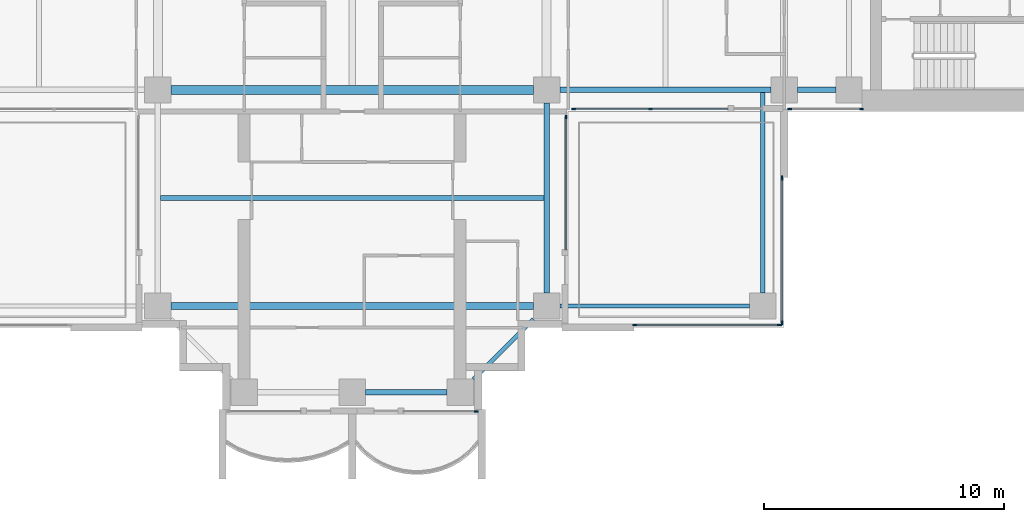
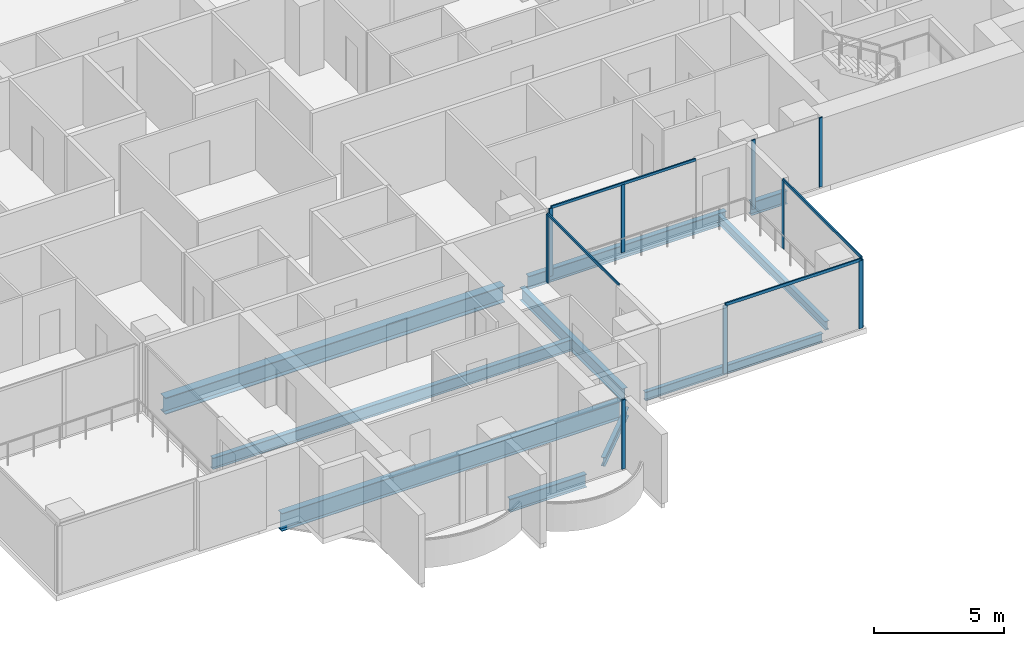
# One storey, part 3 of 19: 14 members, 10 beams, 6 elements without a shape of their own.
"""IFC4 building model written with IfcOpenShell, lengths in metres."""

from ifc_helpers import new_model, si_unit, direction, frame, origin, origin_2d, place, context, subcontext, project, spatial, rectangle, i_section, extrude, material, material_profile, profile_set, type_object, element, aggregate, save


model = new_model("IFC4")

# Units and contexts
model_context = context("Model", 3, precision=1e-05, world=origin(), true_north=direction((0.0, 1.0)))
body_context = subcontext(model_context, "Body", "Model", "MODEL_VIEW")
ifc_project = project(units=[si_unit("LENGTHUNIT", "METRE"), si_unit("AREAUNIT", "SQUARE_METRE"), si_unit("VOLUMEUNIT", "CUBIC_METRE"), si_unit("PLANEANGLEUNIT", "RADIAN"), si_unit("MASSUNIT", "GRAM", prefix="KILO")], contexts=[model_context])

# Site, building, storey
site_placement = place(None, origin())
site = spatial("IfcSite", under=ifc_project, at=site_placement, CompositionType="ELEMENT")
building_placement = place(site_placement, origin())
building = spatial("IfcBuilding", under=site, at=building_placement, Name="Perihelion Cross Residences", CompositionType="ELEMENT")
storey_placement = place(building_placement, frame((0.0, 0.0, 144.39990234375)))
storey = spatial("IfcBuildingStorey", under=building, at=storey_placement, Name="L35", CompositionType="ELEMENT", Elevation=144.39990234375)

# Curtain wall, member
ifc_material_1 = material(Name="Bronze anodised aluminium, tinted glazing", Category="aluminium")
curtain_wall_type_1 = type_object("IfcCurtainWallType", Name="CW1", PredefinedType="NOTDEFINED", material=ifc_material_1)
curtain_wall_1_placement = place(storey_placement, origin())
curtain_wall_1 = element("IfcCurtainWall", 1, at=curtain_wall_1_placement, inside=storey, type_object=curtain_wall_type_1, Name="Curtain wall CW1 L35 south tip south bay 2", PredefinedType="NOTDEFINED")
ifc_material_2 = material(Name="Bronze anodised aluminium", Category="aluminium")
ifc_material_profile_1 = material_profile(ifc_material_2, rectangle(XDim=0.06005859375, YDim=0.159912109375, at=origin_2d()), Name="CW1 mullion")
ifc_profile_set_1 = profile_set([ifc_material_profile_1], Name="Bronze anodised aluminium")
member_type_1 = type_object("IfcMemberType", Name="CW1 mullion", PredefinedType="MULLION", material=ifc_profile_set_1)
member_1_placement = place(storey_placement, frame((5.169921875, -21.5, 0.0), z_axis=(0.0, 0.0, 1.0), x_axis=(0.0, 1.0, 0.0)))
member_1 = element("IfcMember", 2, at=member_1_placement, type_object=member_type_1, Name="CW1 mullion 2", PredefinedType="MULLION", context=body_context, shape_type="SweptSolid", body=[
    extrude(rectangle(XDim=0.06005859375, YDim=0.159912109375, at=origin_2d()), origin(), (0.0, 0.0, 1.0), 3.25),
])
aggregate(curtain_wall_1, [member_1])

curtain_wall_2_placement = place(storey_placement, origin())
curtain_wall_2 = element("IfcCurtainWall", 3, at=curtain_wall_2_placement, inside=storey, type_object=curtain_wall_type_1, Name="Curtain wall CW1 L35 south side east bay 1", PredefinedType="NOTDEFINED")
member_2_placement = place(storey_placement, frame((8.89990234375, -9.22998046875, 0.0), z_axis=(0.0, 0.0, 1.0), x_axis=(-1.0, 0.0, 0.0)))
member_2 = element("IfcMember", 4, at=member_2_placement, type_object=member_type_1, Name="CW1 mullion 2", PredefinedType="MULLION", context=body_context, shape_type="SweptSolid", body=[
    extrude(rectangle(XDim=0.06005859375, YDim=0.159912109375, at=origin_2d()), origin(), (0.0, 0.0, 1.0), 3.190185546875),
])

# Curtain wall, members
curtain_wall_3_placement = place(storey_placement, origin())
curtain_wall_3 = element("IfcCurtainWall", 5, at=curtain_wall_3_placement, inside=storey, type_object=curtain_wall_type_1, Name="Curtain wall CW1 L35 east side south bay 1", PredefinedType="NOTDEFINED")
member_3_placement = place(storey_placement, frame((9.22998046875, -8.89990234375, 0.0), z_axis=(0.0, 0.0, 1.0), x_axis=(0.0, 1.0, 0.0)))
member_3 = element("IfcMember", 6, at=member_3_placement, type_object=member_type_1, Name="CW1 mullion 1", PredefinedType="MULLION", context=body_context, shape_type="SweptSolid", body=[
    extrude(rectangle(XDim=0.06005859375, YDim=0.159912109375, at=origin_2d()), origin(), (0.0, 0.0, 1.0), 3.190185546875),
])
member_4_placement = place(storey_placement, frame((12.425048828125, -8.89990234375, 0.0), z_axis=(0.0, 0.0, 1.0), x_axis=(0.0, 1.0, 0.0)))
member_4 = element("IfcMember", 7, at=member_4_placement, type_object=member_type_1, Name="CW1 mullion 2", PredefinedType="MULLION", context=body_context, shape_type="SweptSolid", body=[
    extrude(rectangle(XDim=0.06005859375, YDim=0.159912109375, at=origin_2d()), origin(), (0.0, 0.0, 1.0), 3.190185546875),
])

curtain_wall_4_placement = place(storey_placement, origin())
curtain_wall_4 = element("IfcCurtainWall", 8, at=curtain_wall_4_placement, inside=storey, type_object=curtain_wall_type_1, Name="Curtain wall CW1 L35 east side south bay 2", PredefinedType="NOTDEFINED")
member_5_placement = place(storey_placement, frame((18.22998046875, -8.89990234375, 0.0), z_axis=(0.0, 0.0, 1.0), x_axis=(0.0, 1.0, 0.0)))
member_5 = element("IfcMember", 9, at=member_5_placement, type_object=member_type_1, Name="CW1 mullion 1", PredefinedType="MULLION", context=body_context, shape_type="SweptSolid", body=[
    extrude(rectangle(XDim=0.06005859375, YDim=0.159912109375, at=origin_2d()), origin(), (0.0, 0.0, 1.0), 3.25),
])
member_6_placement = place(storey_placement, frame((21.219970703125, -8.89990234375, 0.0), z_axis=(0.0, 0.0, 1.0), x_axis=(0.0, 1.0, 0.0)))
member_6 = element("IfcMember", 10, at=member_6_placement, type_object=member_type_1, Name="CW1 mullion 2", PredefinedType="MULLION", context=body_context, shape_type="SweptSolid", body=[
    extrude(rectangle(XDim=0.06005859375, YDim=0.159912109375, at=origin_2d()), origin(), (0.0, 0.0, 1.0), 3.25),
])
aggregate(curtain_wall_4, [member_5, member_6])

# Member
ifc_material_3 = material(Name="Bronze anodised aluminium", Category="aluminium")
ifc_material_profile_2 = material_profile(ifc_material_3, rectangle(XDim=0.06005859375, YDim=0.1201171875, at=origin_2d()), Name="CW1 transom")
ifc_profile_set_2 = profile_set([ifc_material_profile_2], Name="Bronze anodised aluminium")
member_type_2 = type_object("IfcMemberType", Name="CW1 transom", PredefinedType="USERDEFINED", material=ifc_profile_set_2)
member_7_placement = place(storey_placement, frame((8.89990234375, -14.75, 3.22021484375), z_axis=(0.0, 1.0, 0.0), x_axis=(-1.0, 0.0, 0.0)))
member_7 = element("IfcMember", 11, at=member_7_placement, type_object=member_type_2, Name="CW1 head transom", ObjectType="TRANSOM", PredefinedType="USERDEFINED", context=body_context, shape_type="SweptSolid", body=[
    extrude(rectangle(XDim=0.06005859375, YDim=0.1201171875, at=origin_2d()), origin(), (0.0, 0.0, 1.0), 5.52001953125),
])

aggregate(curtain_wall_2, [member_2, member_7])

member_8_placement = place(storey_placement, frame((9.22998046875, -8.89990234375, 3.22021484375), z_axis=(1.0, 0.0, 0.0), x_axis=(0.0, 1.0, 0.0)))
member_8 = element("IfcMember", 12, at=member_8_placement, type_object=member_type_2, Name="CW1 head transom", ObjectType="TRANSOM", PredefinedType="USERDEFINED", context=body_context, shape_type="SweptSolid", body=[
    extrude(rectangle(XDim=0.06005859375, YDim=0.1201171875, at=origin_2d()), origin(), (0.0, 0.0, 1.0), 6.419921875),
])

aggregate(curtain_wall_3, [member_3, member_4, member_8])

# Curtain wall, members
ifc_material_4 = material(Name="Bronze anodised aluminium, tinted glazing", Category="aluminium")
curtain_wall_type_2 = type_object("IfcCurtainWallType", Name="CW4", PredefinedType="NOTDEFINED", material=ifc_material_4)
curtain_wall_5_placement = place(storey_placement, origin())
curtain_wall_5 = element("IfcCurtainWall", 13, at=curtain_wall_5_placement, inside=storey, type_object=curtain_wall_type_2, Name="Curtain wall CW4 L35 pocket south-east 1 1", PredefinedType="NOTDEFINED")
ifc_material_5 = material(Name="Bronze anodised aluminium", Category="aluminium")
ifc_material_profile_3 = material_profile(ifc_material_5, rectangle(XDim=0.06005859375, YDim=0.179931640625, at=origin_2d()), Name="CW4 mullion")
ifc_profile_set_3 = profile_set([ifc_material_profile_3], Name="Bronze anodised aluminium")
member_type_3 = type_object("IfcMemberType", Name="CW4 mullion", PredefinedType="MULLION", material=ifc_profile_set_3)
member_9_placement = place(storey_placement, frame((17.89990234375, -11.77001953125, 0.0), z_axis=(0.0, 0.0, 1.0), x_axis=(1.0, 0.0, 0.0)))
member_9 = element("IfcMember", 14, at=member_9_placement, type_object=member_type_3, Name="CW4 mullion 1", PredefinedType="MULLION", context=body_context, shape_type="SweptSolid", body=[
    extrude(rectangle(XDim=0.06005859375, YDim=0.179931640625, at=origin_2d()), origin(), (0.0, 0.0, 1.0), 3.190185546875),
])
member_10_placement = place(storey_placement, frame((17.89990234375, -17.800048828125, 0.0), z_axis=(0.0, 0.0, 1.0), x_axis=(1.0, 0.0, 0.0)))
member_10 = element("IfcMember", 15, at=member_10_placement, type_object=member_type_3, Name="CW4 mullion 2", PredefinedType="MULLION", context=body_context, shape_type="SweptSolid", body=[
    extrude(rectangle(XDim=0.06005859375, YDim=0.179931640625, at=origin_2d()), origin(), (0.0, 0.0, 1.0), 3.190185546875),
])

curtain_wall_6_placement = place(storey_placement, origin())
curtain_wall_6 = element("IfcCurtainWall", 16, at=curtain_wall_6_placement, inside=storey, type_object=curtain_wall_type_2, Name="Curtain wall CW4 L35 pocket south-east 1 2", PredefinedType="NOTDEFINED")
member_11_placement = place(storey_placement, frame((17.800048828125, -17.89990234375, 0.0), z_axis=(0.0, 0.0, 1.0), x_axis=(0.0, -1.0, 0.0)))
member_11 = element("IfcMember", 17, at=member_11_placement, type_object=member_type_3, Name="CW4 mullion 1", PredefinedType="MULLION", context=body_context, shape_type="SweptSolid", body=[
    extrude(rectangle(XDim=0.06005859375, YDim=0.179931640625, at=origin_2d()), origin(), (0.0, 0.0, 1.0), 3.190185546875),
])
member_12_placement = place(storey_placement, frame((11.77001953125, -17.89990234375, 0.0), z_axis=(0.0, 0.0, 1.0), x_axis=(0.0, -1.0, 0.0)))
member_12 = element("IfcMember", 18, at=member_12_placement, type_object=member_type_3, Name="CW4 mullion 2", PredefinedType="MULLION", context=body_context, shape_type="SweptSolid", body=[
    extrude(rectangle(XDim=0.06005859375, YDim=0.179931640625, at=origin_2d()), origin(), (0.0, 0.0, 1.0), 3.190185546875),
])

# Member
ifc_material_6 = material(Name="Bronze anodised aluminium", Category="aluminium")
ifc_material_profile_4 = material_profile(ifc_material_6, rectangle(XDim=0.06005859375, YDim=0.139892578125, at=origin_2d()), Name="CW4 transom")
ifc_profile_set_4 = profile_set([ifc_material_profile_4], Name="Bronze anodised aluminium")
member_type_4 = type_object("IfcMemberType", Name="CW4 transom", PredefinedType="USERDEFINED", material=ifc_profile_set_4)
member_13_placement = place(storey_placement, frame((17.89990234375, -11.77001953125, 3.22021484375), z_axis=(0.0, -1.0, 0.0), x_axis=(1.0, 0.0, 0.0)))
member_13 = element("IfcMember", 19, at=member_13_placement, type_object=member_type_4, Name="CW4 head transom", ObjectType="TRANSOM", PredefinedType="USERDEFINED", context=body_context, shape_type="SweptSolid", body=[
    extrude(rectangle(XDim=0.06005859375, YDim=0.139892578125, at=origin_2d()), origin(), (0.0, 0.0, 1.0), 6.030029296875),
])

aggregate(curtain_wall_5, [member_9, member_10, member_13])

member_14_placement = place(storey_placement, frame((17.800048828125, -17.89990234375, 3.22021484375), z_axis=(-1.0, 0.0, 0.0), x_axis=(0.0, -1.0, 0.0)))
member_14 = element("IfcMember", 20, at=member_14_placement, type_object=member_type_4, Name="CW4 head transom", ObjectType="TRANSOM", PredefinedType="USERDEFINED", context=body_context, shape_type="SweptSolid", body=[
    extrude(rectangle(XDim=0.06005859375, YDim=0.139892578125, at=origin_2d()), origin(), (0.0, 0.0, 1.0), 6.030029296875),
])

aggregate(curtain_wall_6, [member_11, member_12, member_14])

# Beams
ifc_material_7 = material(Name="Steel S355", Category="steel")
ifc_material_profile_5 = material_profile(ifc_material_7, i_section(OverallWidth=0.177978515625, OverallDepth=0.406005859375, WebThickness=0.0078125, FlangeThickness=0.0126953125, at=origin_2d()), Name="W410x60")
ifc_profile_set_5 = profile_set([ifc_material_profile_5], Name="Steel S355")
beam_type_1 = type_object("IfcBeamType", Name="Core edge beam W410x60", PredefinedType="BEAM", material=ifc_profile_set_5)
beam_1_placement = place(storey_placement, frame((17.10009765625, -8.214599609375, -0.452880859375), z_axis=(0.0, -1.0, 0.0), x_axis=(1.0, 0.0, 0.0)))
element("IfcBeam", 21, at=beam_1_placement, inside=storey, type_object=beam_type_1, Name="Core edge beam TB2 L35 corner no. 5", PredefinedType="BEAM", context=body_context, shape_type="SweptSolid", body=[
    extrude(i_section(OverallWidth=0.177978515625, OverallDepth=0.406005859375, WebThickness=0.0078125, FlangeThickness=0.0126953125, at=origin_2d()), origin(), (0.0, 0.0, 1.0), 8.33544921875),
])
beam_2_placement = place(storey_placement, frame((8.64990234375, -17.10009765625, -0.452880859375), z_axis=(1.0, 0.0, 0.0), x_axis=(0.0, 1.0, 0.0)))
element("IfcBeam", 22, at=beam_2_placement, inside=storey, type_object=beam_type_1, Name="Core edge beam TB2 L35 corner no. 6", PredefinedType="BEAM", context=body_context, shape_type="SweptSolid", body=[
    extrude(i_section(OverallWidth=0.177978515625, OverallDepth=0.406005859375, WebThickness=0.0078125, FlangeThickness=0.0126953125, at=origin_2d()), origin(), (0.0, 0.0, 1.0), 7.900146484375),
])
ifc_material_8 = material(Name="Steel S355", Category="steel")
ifc_material_profile_6 = material_profile(ifc_material_8, i_section(OverallWidth=0.22900390625, OverallDepth=0.612060546875, WebThickness=0.011962890625, FlangeThickness=0.01953125, at=origin_2d()), Name="W610x125")
ifc_profile_set_6 = profile_set([ifc_material_profile_6], Name="Steel S355")
beam_type_2 = type_object("IfcBeamType", Name="Edge beam W610x125", PredefinedType="SPANDREL", material=ifc_profile_set_6)
beam_3_placement = place(storey_placement, frame((0.550048828125, -20.699951171875, -0.555908203125), z_axis=(1.0, 0.0, 0.0), x_axis=(0.0, 1.0, 0.0)))
element("IfcBeam", 23, at=beam_3_placement, inside=storey, type_object=beam_type_2, Name="Edge beam SB3 L35 no. 9", PredefinedType="SPANDREL", context=body_context, shape_type="SweptSolid", body=[
    extrude(i_section(OverallWidth=0.22900390625, OverallDepth=0.612060546875, WebThickness=0.011962890625, FlangeThickness=0.01953125, at=origin_2d()), origin(), (0.0, 0.0, 1.0), 3.39990234375),
])
beam_4_placement = place(storey_placement, frame((8.10009765625, -16.550048828125, -0.555908203125), z_axis=(0.0, 1.0, 0.0), x_axis=(-1.0, 0.0, 0.0)))
element("IfcBeam", 24, at=beam_4_placement, inside=storey, type_object=beam_type_2, Name="Edge beam SB3 L35 no. 15", PredefinedType="SPANDREL", context=body_context, shape_type="SweptSolid", body=[
    extrude(i_section(OverallWidth=0.22900390625, OverallDepth=0.612060546875, WebThickness=0.011962890625, FlangeThickness=0.01953125, at=origin_2d()), origin(), (0.0, 0.0, 1.0), 7.900146484375),
])
beam_5_placement = place(storey_placement, frame((8.64990234375, -8.10009765625, -0.555908203125), z_axis=(1.0, 0.0, 0.0), x_axis=(0.0, 1.0, 0.0)))
element("IfcBeam", 25, at=beam_5_placement, inside=storey, type_object=beam_type_2, Name="Edge beam SB3 L35 no. 16", PredefinedType="SPANDREL", context=body_context, shape_type="SweptSolid", body=[
    extrude(i_section(OverallWidth=0.22900390625, OverallDepth=0.612060546875, WebThickness=0.011962890625, FlangeThickness=0.01953125, at=origin_2d()), origin(), (0.0, 0.0, 1.0), 8.800048828125),
])
beam_6_placement = place(storey_placement, frame((18.550048828125, -8.10009765625, -0.555908203125), z_axis=(1.0, 0.0, 0.0), x_axis=(0.0, 1.0, 0.0)))
element("IfcBeam", 26, at=beam_6_placement, inside=storey, type_object=beam_type_2, Name="Edge beam SB3 L35 no. 11", PredefinedType="SPANDREL", context=body_context, shape_type="SweptSolid", body=[
    extrude(i_section(OverallWidth=0.22900390625, OverallDepth=0.612060546875, WebThickness=0.011962890625, FlangeThickness=0.01953125, at=origin_2d()), origin(), (0.0, 0.0, 1.0), 1.599853515625),
])
ifc_material_9 = material(Name="Steel S355", Category="steel")
ifc_material_profile_7 = material_profile(ifc_material_9, i_section(OverallWidth=0.2919921875, OverallDepth=0.8359375, WebThickness=0.013916015625, FlangeThickness=0.018798828125, at=origin_2d()), Name="W840x176")
ifc_profile_set_7 = profile_set([ifc_material_profile_7], Name="Steel S355")
beam_type_3 = type_object("IfcBeamType", Name="Floor girder W840x176", PredefinedType="BEAM", material=ifc_profile_set_7)
beam_7_placement = place(storey_placement, frame((-7.550048828125, -17.10009765625, -0.66796875), z_axis=(1.0, 0.0, 0.0), x_axis=(0.0, 1.0, 0.0)))
element("IfcBeam", 27, at=beam_7_placement, inside=storey, type_object=beam_type_3, Name="Girder G3 L35 no. 3", PredefinedType="BEAM", context=body_context, shape_type="SweptSolid", body=[
    extrude(i_section(OverallWidth=0.2919921875, OverallDepth=0.8359375, WebThickness=0.013916015625, FlangeThickness=0.018798828125, at=origin_2d()), origin(), (0.0, 0.0, 1.0), 15.10009765625),
])
ifc_material_10 = material(Name="Steel S355", Category="steel")
ifc_material_profile_8 = material_profile(ifc_material_10, i_section(OverallWidth=0.208984375, OverallDepth=0.532958984375, WebThickness=0.01025390625, FlangeThickness=0.015625, at=origin_2d()), Name="W530x92")
ifc_profile_set_8 = profile_set([ifc_material_profile_8], Name="Steel S355")
beam_type_4 = type_object("IfcBeamType", Name="Floor joist W530x92", PredefinedType="JOIST", material=ifc_profile_set_8)
beam_8_placement = place(storey_placement, frame((-7.985595703125, -12.60009765625, -0.516357421875), z_axis=(1.0, 0.0, 0.0), x_axis=(0.0, 1.0, 0.0)))
element("IfcBeam", 28, at=beam_8_placement, inside=storey, type_object=beam_type_4, Name="Joist J4 L35 no. 3", PredefinedType="JOIST", context=body_context, shape_type="SweptSolid", body=[
    extrude(i_section(OverallWidth=0.208984375, OverallDepth=0.532958984375, WebThickness=0.01025390625, FlangeThickness=0.015625, at=origin_2d()), origin(), (0.0, 0.0, 1.0), 15.97119140625),
])
ifc_material_11 = material(Name="Steel S355", Category="steel")
ifc_material_profile_9 = material_profile(ifc_material_11, i_section(OverallWidth=0.381103515625, OverallDepth=0.77197265625, WebThickness=0.0166015625, FlangeThickness=0.027099609375, at=origin_2d()), Name="W760x257")
ifc_profile_set_9 = profile_set([ifc_material_profile_9], Name="Steel S355")
beam_type_5 = type_object("IfcBeamType", Name="Hub ring girder W760x257", PredefinedType="BEAM", material=ifc_profile_set_9)
beam_9_placement = place(storey_placement, frame((-7.550048828125, -8.10009765625, -0.635986328125), z_axis=(1.0, 0.0, 0.0), x_axis=(0.0, 1.0, 0.0)))
element("IfcBeam", 29, at=beam_9_placement, inside=storey, type_object=beam_type_5, Name="Hub ring girder RG3 L35 no. 1", PredefinedType="BEAM", context=body_context, shape_type="SweptSolid", body=[
    extrude(i_section(OverallWidth=0.381103515625, OverallDepth=0.77197265625, WebThickness=0.0166015625, FlangeThickness=0.027099609375, at=origin_2d()), origin(), (0.0, 0.0, 1.0), 15.10009765625),
])
ifc_material_12 = material(Name="Steel S355", Category="steel")
ifc_material_profile_10 = material_profile(ifc_material_12, i_section(OverallWidth=0.180908203125, OverallDepth=0.4169921875, WebThickness=0.010986328125, FlangeThickness=0.018310546875, at=origin_2d()), Name="W410x85")
ifc_profile_set_10 = profile_set([ifc_material_profile_10], Name="Steel S355")
beam_type_6 = type_object("IfcBeamType", Name="Serration edge beam W410x85", PredefinedType="BEAM", material=ifc_profile_set_10)
beam_10_placement = place(storey_placement, frame((5.050048828125, -20.14990234375, -0.45849609375), z_axis=(0.707106781187, 0.707106781187, 0.0), x_axis=(-0.707106781187, 0.707106781187, 0.0)))
element("IfcBeam", 30, at=beam_10_placement, inside=storey, type_object=beam_type_6, Name="Serration edge beam EB3 L35 no. 3", PredefinedType="BEAM", context=body_context, shape_type="SweptSolid", body=[
    extrude(i_section(OverallWidth=0.180908203125, OverallDepth=0.4169921875, WebThickness=0.010986328125, FlangeThickness=0.018310546875, at=origin_2d()), origin(), (0.0, 0.0, 1.0), 3.53564453125),
])

save(model, "model.ifc")
